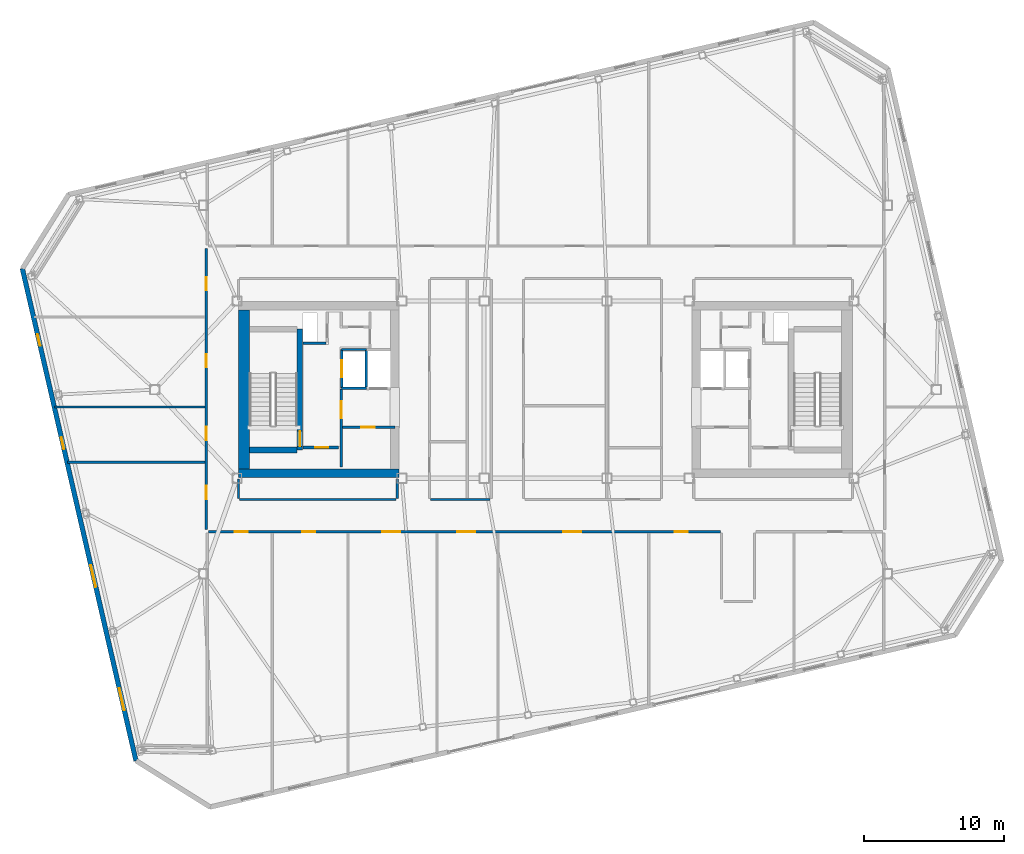
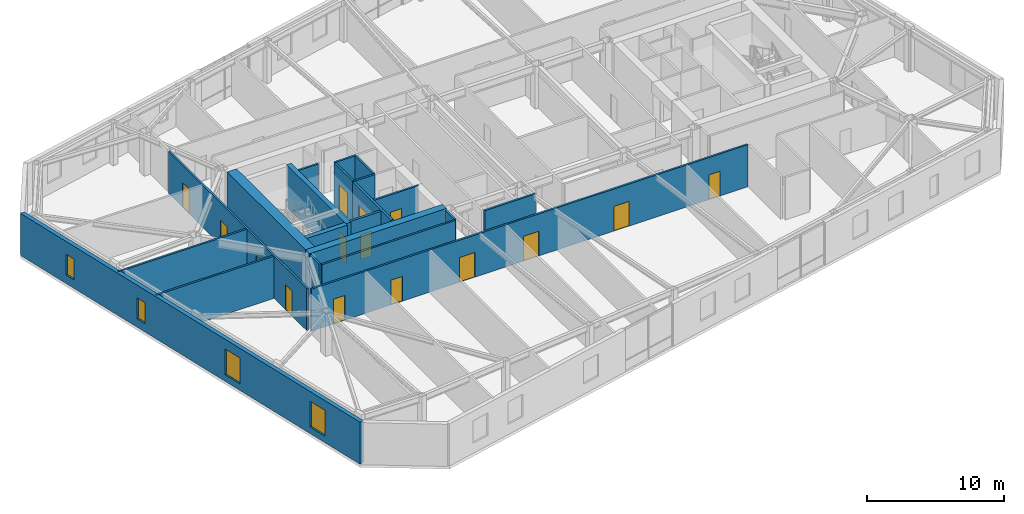
# One storey, part 16 of 23: 21 walls, 15 doors, 4 windows, 19 openings.
"""IFC4 building model written with IfcOpenShell, lengths in metres."""

from ifc_helpers import new_model, si_unit, direction, frame, frame_2d, origin, place, context, subcontext, project, spatial, rectangle, extrude, material, layer, layer_set, type_object, element, fill, save


model = new_model("IFC4")

# Units and contexts
model_context = context("Model", 3, precision=1e-05, world=origin(), true_north=direction((0.0, 1.0)))
body_context = subcontext(model_context, "Body", "Model", "MODEL_VIEW")
ifc_project = project(units=[si_unit("LENGTHUNIT", "METRE"), si_unit("AREAUNIT", "SQUARE_METRE"), si_unit("VOLUMEUNIT", "CUBIC_METRE"), si_unit("PLANEANGLEUNIT", "RADIAN"), si_unit("MASSUNIT", "GRAM", prefix="KILO")], contexts=[model_context])

# Site, building, storey
site_placement = place(None, origin())
site = spatial("IfcSite", under=ifc_project, at=site_placement, CompositionType="ELEMENT")
building_placement = place(site_placement, origin())
building = spatial("IfcBuilding", under=site, at=building_placement, Name="Tavrogorsk Clinical Tower", CompositionType="ELEMENT")
storey_placement = place(building_placement, frame((0.0, 0.0, 293.0)))
storey = spatial("IfcBuildingStorey", under=building, at=storey_placement, Name="L68", CompositionType="ELEMENT", Elevation=293.0)

# Wall, opening, door
ifc_material_1 = material(Name="Concrete B60", Category="concrete")
ifc_layer_1 = layer(ifc_material_1, 0.199951171875)
ifc_layer_set_1 = layer_set([ifc_layer_1], Name="Concrete B60")
wall_type_1 = type_object("IfcWallType", Name="CoreFireWall_200", PredefinedType="SOLIDWALL", material=ifc_layer_set_1)
wall_1_placement = place(storey_placement, frame((-17.3798828125, -4.139892578125, 0.0), z_axis=(0.0, 0.0, 1.0), x_axis=(1.0, 0.0, 0.0)))
wall_1 = element("IfcWall", 1, at=wall_1_placement, inside=storey, type_object=wall_type_1, Name="L68 Core West South Core Room Fire Wall", PredefinedType="SOLIDWALL", context=body_context, shape_type="SweptSolid", body=[
    extrude(rectangle(XDim=2.554931640625, YDim=0.199951171875, at=frame_2d((1.27734375, 0.0))), origin(), (0.0, 0.0, 1.0), 3.739990234375),
])
opening_1_placement = place(wall_1_placement, frame((0.8798828125, 0.0, 0.0)))
opening_1 = element("IfcOpeningElement", 2, at=opening_1_placement, cuts=wall_1, Name="Opening ID-02", PredefinedType="OPENING", context=body_context, shape_type="SweptSolid", body=[
    extrude(rectangle(XDim=0.949951171875, YDim=2.199951171875, at=frame_2d((0.47509765625, 1.10009765625))), frame((0.0, 0.10986328125, 0.0), z_axis=(0.0, -1.0, 0.0), x_axis=(1.0, 0.0, 0.0)), (0.0, 0.0, 1.0), 0.219970703125),
])
ifc_material_2 = material(Name="Laminated timber leaf on aluminium frame", Category="wood")
door_type_1 = type_object("IfcDoorType", Name="InteriorDoor_ID02_950", OperationType="NOTDEFINED", PredefinedType="DOOR", material=ifc_material_2)
door_1_placement = place(opening_1_placement, origin())
door_1 = element("IfcDoor", 3, at=door_1_placement, inside=storey, type_object=door_type_1, Name="L68 Core West South Core Room Door", OperationType="SINGLE_SWING_RIGHT", OverallHeight=2.199951171875, OverallWidth=0.949951171875, PredefinedType="DOOR", context=body_context, shape_type="SweptSolid", body=[
    extrude(rectangle(XDim=0.949951171875, YDim=2.199951171875, at=frame_2d((0.47509765625, 1.10009765625))), frame((0.0, 0.02490234375, 0.0), z_axis=(0.0, -1.0, 0.0), x_axis=(1.0, 0.0, 0.0)), (0.0, 0.0, 1.0), 0.050048828125),
])
fill(opening_1, door_1)

wall_2_placement = place(storey_placement, frame((-14.639892578125, -5.56005859375, 0.0), z_axis=(0.0, 0.0, 1.0), x_axis=(0.0, 1.0, 0.0)))
wall_2 = element("IfcWall", 4, at=wall_2_placement, inside=storey, type_object=wall_type_1, Name="L68 Core West Firefighting Lobby Fire Wall", PredefinedType="SOLIDWALL", context=body_context, shape_type="SweptSolid", body=[
    extrude(rectangle(XDim=5.60009765625, YDim=0.199951171875, at=frame_2d((2.800048828125, 0.0))), origin(), (0.0, 0.0, 1.0), 3.739990234375),
])
opening_2_placement = place(wall_2_placement, frame((3.510009765625, 0.0, 0.0)))
opening_2 = element("IfcOpeningElement", 5, at=opening_2_placement, cuts=wall_2, Name="Opening FD-01", PredefinedType="OPENING", context=body_context, shape_type="SweptSolid", body=[
    extrude(rectangle(XDim=1.199951171875, YDim=2.199951171875, at=frame_2d((0.60009765625, 1.10009765625))), frame((0.0, 0.10986328125, 0.0), z_axis=(0.0, -1.0, 0.0), x_axis=(1.0, 0.0, 0.0)), (0.0, 0.0, 1.0), 0.219970703125),
])
ifc_material_3 = material(Name="Galvanised steel fire-rated door assembly", Category="steel")
door_type_2 = type_object("IfcDoorType", Name="FireDoor_FD01_1200", OperationType="NOTDEFINED", PredefinedType="DOOR", material=ifc_material_3)
door_2_placement = place(opening_2_placement, origin())
door_2 = element("IfcDoor", 6, at=door_2_placement, inside=storey, type_object=door_type_2, Name="L68 Core West Firefighting Lobby Entry Door", OperationType="SINGLE_SWING_RIGHT", OverallHeight=2.199951171875, OverallWidth=1.199951171875, PredefinedType="DOOR", context=body_context, shape_type="SweptSolid", body=[
    extrude(rectangle(XDim=1.199951171875, YDim=2.199951171875, at=frame_2d((0.60009765625, 1.10009765625))), frame((0.0, 0.02490234375, 0.0), z_axis=(0.0, -1.0, 0.0), x_axis=(1.0, 0.0, 0.0)), (0.0, 0.0, 1.0), 0.050048828125),
])
fill(opening_2, door_2)

ifc_material_4 = material(Name="Lightweight concrete blockwork B15", Category="masonry")
ifc_layer_2 = layer(ifc_material_4, 0.159912109375)
ifc_layer_set_2 = layer_set([ifc_layer_2], Name="Lightweight concrete blockwork B15")
wall_type_2 = type_object("IfcWallType", Name="PartitionWall_160", PredefinedType="PARTITIONING", material=ifc_layer_set_2)
wall_3_placement = place(storey_placement, frame((-14.534912109375, -2.699951171875, 0.0), z_axis=(0.0, 0.0, 1.0), x_axis=(1.0, 0.0, 0.0)))
wall_3 = element("IfcWall", 7, at=wall_3_placement, inside=storey, type_object=wall_type_2, Name="L68 Core West Freed Mid-Bank North Partition", PredefinedType="PARTITIONING", context=body_context, shape_type="SweptSolid", body=[
    extrude(rectangle(XDim=3.73486328125, YDim=0.159912109375, at=frame_2d((1.867431640625, 0.0))), origin(), (0.0, 0.0, 1.0), 3.739990234375),
])
opening_3_placement = place(wall_3_placement, frame((1.35009765625, 0.0, 0.0)))
opening_3 = element("IfcOpeningElement", 8, at=opening_3_placement, cuts=wall_3, Name="Opening ID-02", PredefinedType="OPENING", context=body_context, shape_type="SweptSolid", body=[
    extrude(rectangle(XDim=0.949951171875, YDim=2.199951171875, at=frame_2d((0.47509765625, 1.10009765625))), frame((0.0, 0.08984375, 0.0), z_axis=(0.0, -1.0, 0.0), x_axis=(1.0, 0.0, 0.0)), (0.0, 0.0, 1.0), 0.179931640625),
])
door_3_placement = place(opening_3_placement, origin())
door_3 = element("IfcDoor", 9, at=door_3_placement, inside=storey, type_object=door_type_1, Name="L68 Core West Pharmacy Prep Door", OperationType="SINGLE_SWING_LEFT", OverallHeight=2.199951171875, OverallWidth=0.949951171875, PredefinedType="DOOR", context=body_context, shape_type="SweptSolid", body=[
    extrude(rectangle(XDim=0.949951171875, YDim=2.199951171875, at=frame_2d((0.47509765625, 1.10009765625))), frame((0.0, 0.02490234375, 0.0), z_axis=(0.0, -1.0, 0.0), x_axis=(1.0, 0.0, 0.0)), (0.0, 0.0, 1.0), 0.050048828125),
])
fill(opening_3, door_3)

# Wall, openings, doors
wall_4_placement = place(storey_placement, frame((-24.31005859375, -10.014892578125, 0.0), z_axis=(0.0, 0.0, 1.0), x_axis=(0.0, 1.0, 0.0)))
wall_4 = element("IfcWall", 10, at=wall_4_placement, inside=storey, type_object=wall_type_2, Name="L68 Corridor Partition 01", PredefinedType="PARTITIONING", context=body_context, shape_type="SweptSolid", body=[
    extrude(rectangle(XDim=20.1298828125, YDim=0.159912109375, at=frame_2d((10.06494140625, 0.0))), origin(), (0.0, 0.0, 1.0), 3.739990234375),
])
opening_4_placement = place(wall_4_placement, frame((2.169189453125, 0.0, 0.0)))
opening_4 = element("IfcOpeningElement", 11, at=opening_4_placement, cuts=wall_4, Name="Opening ID-02", PredefinedType="OPENING", context=body_context, shape_type="SweptSolid", body=[
    extrude(rectangle(XDim=0.949951171875, YDim=2.199951171875, at=frame_2d((0.47509765625, 1.10009765625))), frame((0.0, 0.08984375, 0.0), z_axis=(0.0, -1.0, 0.0), x_axis=(1.0, 0.0, 0.0)), (0.0, 0.0, 1.0), 0.179931640625),
])
opening_5_placement = place(wall_4_placement, frame((6.39990234375, 0.0, 0.0)))
opening_5 = element("IfcOpeningElement", 12, at=opening_5_placement, cuts=wall_4, Name="Opening ID-02", PredefinedType="OPENING", context=body_context, shape_type="SweptSolid", body=[
    extrude(rectangle(XDim=0.949951171875, YDim=2.199951171875, at=frame_2d((0.47509765625, 1.10009765625))), frame((0.0, 0.08984375, 0.0), z_axis=(0.0, -1.0, 0.0), x_axis=(1.0, 0.0, 0.0)), (0.0, 0.0, 1.0), 0.179931640625),
])
opening_6_placement = place(wall_4_placement, frame((11.60009765625, 0.0, 0.0)))
opening_6 = element("IfcOpeningElement", 13, at=opening_6_placement, cuts=wall_4, Name="Opening ID-02", PredefinedType="OPENING", context=body_context, shape_type="SweptSolid", body=[
    extrude(rectangle(XDim=0.949951171875, YDim=2.199951171875, at=frame_2d((0.47509765625, 1.10009765625))), frame((0.0, 0.08984375, 0.0), z_axis=(0.0, -1.0, 0.0), x_axis=(1.0, 0.0, 0.0)), (0.0, 0.0, 1.0), 0.179931640625),
])
opening_7_placement = place(wall_4_placement, frame((17.130859375, 0.0, 0.0)))
opening_7 = element("IfcOpeningElement", 14, at=opening_7_placement, cuts=wall_4, Name="Opening ID-02", PredefinedType="OPENING", context=body_context, shape_type="SweptSolid", body=[
    extrude(rectangle(XDim=0.949951171875, YDim=2.199951171875, at=frame_2d((0.47509765625, 1.10009765625))), frame((0.0, 0.08984375, 0.0), z_axis=(0.0, -1.0, 0.0), x_axis=(1.0, 0.0, 0.0)), (0.0, 0.0, 1.0), 0.179931640625),
])
door_4_placement = place(opening_4_placement, origin())
door_4 = element("IfcDoor", 15, at=door_4_placement, inside=storey, type_object=door_type_1, Name="L68 W Solarium Day Room & Lounge 1 Door", OperationType="SINGLE_SWING_RIGHT", OverallHeight=2.199951171875, OverallWidth=0.949951171875, PredefinedType="DOOR", context=body_context, shape_type="SweptSolid", body=[
    extrude(rectangle(XDim=0.949951171875, YDim=2.199951171875, at=frame_2d((0.47509765625, 1.10009765625))), frame((0.0, 0.02490234375, 0.0), z_axis=(0.0, -1.0, 0.0), x_axis=(1.0, 0.0, 0.0)), (0.0, 0.0, 1.0), 0.050048828125),
])
fill(opening_4, door_4)
door_5_placement = place(opening_5_placement, origin())
door_5 = element("IfcDoor", 16, at=door_5_placement, inside=storey, type_object=door_type_1, Name="L68 W Rehabilitation Therapy Suite 2 Door", OperationType="SINGLE_SWING_LEFT", OverallHeight=2.199951171875, OverallWidth=0.949951171875, PredefinedType="DOOR", context=body_context, shape_type="SweptSolid", body=[
    extrude(rectangle(XDim=0.949951171875, YDim=2.199951171875, at=frame_2d((0.47509765625, 1.10009765625))), frame((0.0, 0.02490234375, 0.0), z_axis=(0.0, -1.0, 0.0), x_axis=(1.0, 0.0, 0.0)), (0.0, 0.0, 1.0), 0.050048828125),
])
fill(opening_5, door_5)
door_6_placement = place(opening_6_placement, origin())
door_6 = element("IfcDoor", 17, at=door_6_placement, inside=storey, type_object=door_type_1, Name="L68 W Sub-Acute Observation Suite 3 Door", OperationType="SINGLE_SWING_RIGHT", OverallHeight=2.199951171875, OverallWidth=0.949951171875, PredefinedType="DOOR", context=body_context, shape_type="SweptSolid", body=[
    extrude(rectangle(XDim=0.949951171875, YDim=2.199951171875, at=frame_2d((0.47509765625, 1.10009765625))), frame((0.0, 0.02490234375, 0.0), z_axis=(0.0, -1.0, 0.0), x_axis=(1.0, 0.0, 0.0)), (0.0, 0.0, 1.0), 0.050048828125),
])
fill(opening_6, door_6)
door_7_placement = place(opening_7_placement, origin())
door_7 = element("IfcDoor", 18, at=door_7_placement, inside=storey, type_object=door_type_1, Name="L68 W Family Consultation Lounge 4 Door", OperationType="SINGLE_SWING_LEFT", OverallHeight=2.199951171875, OverallWidth=0.949951171875, PredefinedType="DOOR", context=body_context, shape_type="SweptSolid", body=[
    extrude(rectangle(XDim=0.949951171875, YDim=2.199951171875, at=frame_2d((0.47509765625, 1.10009765625))), frame((0.0, 0.02490234375, 0.0), z_axis=(0.0, -1.0, 0.0), x_axis=(1.0, 0.0, 0.0)), (0.0, 0.0, 1.0), 0.050048828125),
])
fill(opening_7, door_7)

wall_5_placement = place(storey_placement, frame((12.534912109375, -10.179931640625, 0.0), z_axis=(0.0, 0.0, 1.0), x_axis=(-1.0, 0.0, 0.0)))
wall_5 = element("IfcWall", 19, at=wall_5_placement, inside=storey, type_object=wall_type_2, Name="L68 Corridor Partition 08", PredefinedType="PARTITIONING", context=body_context, shape_type="SweptSolid", body=[
    extrude(rectangle(XDim=36.679931640625, YDim=0.159912109375, at=frame_2d((18.33984375, 0.0))), origin(), (0.0, 0.0, 1.0), 3.739990234375),
])
opening_8_placement = place(wall_5_placement, frame((33.85595703125, 0.0, 0.0)))
opening_8 = element("IfcOpeningElement", 20, at=opening_8_placement, cuts=wall_5, Name="Opening ID-02", PredefinedType="OPENING", context=body_context, shape_type="SweptSolid", body=[
    extrude(rectangle(XDim=0.949951171875, YDim=2.199951171875, at=frame_2d((0.47509765625, 1.10009765625))), frame((0.0, 0.08984375, 0.0), z_axis=(0.0, -1.0, 0.0), x_axis=(1.0, 0.0, 0.0)), (0.0, 0.0, 1.0), 0.179931640625),
])
opening_9_placement = place(wall_5_placement, frame((29.014892578125, 0.0, 0.0)))
opening_9 = element("IfcOpeningElement", 21, at=opening_9_placement, cuts=wall_5, Name="Opening ID-02", PredefinedType="OPENING", context=body_context, shape_type="SweptSolid", body=[
    extrude(rectangle(XDim=0.949951171875, YDim=2.199951171875, at=frame_2d((0.47509765625, 1.10009765625))), frame((0.0, 0.08984375, 0.0), z_axis=(0.0, -1.0, 0.0), x_axis=(1.0, 0.0, 0.0)), (0.0, 0.0, 1.0), 0.179931640625),
])
opening_10_placement = place(wall_5_placement, frame((22.93505859375, 0.0, 0.0)))
opening_10 = element("IfcOpeningElement", 22, at=opening_10_placement, cuts=wall_5, Name="Opening ID-01", PredefinedType="OPENING", context=body_context, shape_type="SweptSolid", body=[
    extrude(rectangle(XDim=1.300048828125, YDim=2.199951171875, at=frame_2d((0.64990234375, 1.10009765625))), frame((0.0, 0.08984375, 0.0), z_axis=(0.0, -1.0, 0.0), x_axis=(1.0, 0.0, 0.0)), (0.0, 0.0, 1.0), 0.179931640625),
])
opening_11_placement = place(wall_5_placement, frame((17.554931640625, 0.0, 0.0)))
opening_11 = element("IfcOpeningElement", 23, at=opening_11_placement, cuts=wall_5, Name="Opening ID-01", PredefinedType="OPENING", context=body_context, shape_type="SweptSolid", body=[
    extrude(rectangle(XDim=1.300048828125, YDim=2.199951171875, at=frame_2d((0.64990234375, 1.10009765625))), frame((0.0, 0.08984375, 0.0), z_axis=(0.0, -1.0, 0.0), x_axis=(1.0, 0.0, 0.0)), (0.0, 0.0, 1.0), 0.179931640625),
])
opening_12_placement = place(wall_5_placement, frame((9.969970703125, 0.0, 0.0)))
opening_12 = element("IfcOpeningElement", 24, at=opening_12_placement, cuts=wall_5, Name="Opening ID-01", PredefinedType="OPENING", context=body_context, shape_type="SweptSolid", body=[
    extrude(rectangle(XDim=1.300048828125, YDim=2.199951171875, at=frame_2d((0.64990234375, 1.10009765625))), frame((0.0, 0.08984375, 0.0), z_axis=(0.0, -1.0, 0.0), x_axis=(1.0, 0.0, 0.0)), (0.0, 0.0, 1.0), 0.179931640625),
])
opening_13_placement = place(wall_5_placement, frame((2.3291015625, 0.0, 0.0)))
opening_13 = element("IfcOpeningElement", 25, at=opening_13_placement, cuts=wall_5, Name="Opening ID-02", PredefinedType="OPENING", context=body_context, shape_type="SweptSolid", body=[
    extrude(rectangle(XDim=0.949951171875, YDim=2.199951171875, at=frame_2d((0.47509765625, 1.10009765625))), frame((0.0, 0.08984375, 0.0), z_axis=(0.0, -1.0, 0.0), x_axis=(1.0, 0.0, 0.0)), (0.0, 0.0, 1.0), 0.179931640625),
])
door_8_placement = place(opening_8_placement, origin())
door_8 = element("IfcDoor", 26, at=door_8_placement, inside=storey, type_object=door_type_1, Name="L68 South Clinical Case Seminar Room 01 Door", OperationType="SINGLE_SWING_LEFT", OverallHeight=2.199951171875, OverallWidth=0.949951171875, PredefinedType="DOOR", context=body_context, shape_type="SweptSolid", body=[
    extrude(rectangle(XDim=0.949951171875, YDim=2.199951171875, at=frame_2d((0.47509765625, 1.10009765625))), frame((0.0, 0.02490234375, 0.0), z_axis=(0.0, -1.0, 0.0), x_axis=(1.0, 0.0, 0.0)), (0.0, 0.0, 1.0), 0.050048828125),
])
fill(opening_8, door_8)
door_9_placement = place(opening_9_placement, origin())
door_9 = element("IfcDoor", 27, at=door_9_placement, inside=storey, type_object=door_type_1, Name="L68 South Staff Rest & Nourishment Lounge 02 Door", OperationType="SINGLE_SWING_RIGHT", OverallHeight=2.199951171875, OverallWidth=0.949951171875, PredefinedType="DOOR", context=body_context, shape_type="SweptSolid", body=[
    extrude(rectangle(XDim=0.949951171875, YDim=2.199951171875, at=frame_2d((0.47509765625, 1.10009765625))), frame((0.0, 0.02490234375, 0.0), z_axis=(0.0, -1.0, 0.0), x_axis=(1.0, 0.0, 0.0)), (0.0, 0.0, 1.0), 0.050048828125),
])
fill(opening_9, door_9)
door_10_placement = place(opening_13_placement, origin())
door_10 = element("IfcDoor", 28, at=door_10_placement, inside=storey, type_object=door_type_1, Name="L68 South Soiled Utility & Sluice Room 05 Door", OperationType="SINGLE_SWING_RIGHT", OverallHeight=2.199951171875, OverallWidth=0.949951171875, PredefinedType="DOOR", context=body_context, shape_type="SweptSolid", body=[
    extrude(rectangle(XDim=0.949951171875, YDim=2.199951171875, at=frame_2d((0.47509765625, 1.10009765625))), frame((0.0, 0.02490234375, 0.0), z_axis=(0.0, -1.0, 0.0), x_axis=(1.0, 0.0, 0.0)), (0.0, 0.0, 1.0), 0.050048828125),
])
fill(opening_13, door_10)
ifc_material_5 = material(Name="Antibacterial HPL medical leaf on aluminium frame", Category="aluminium")
door_type_3 = type_object("IfcDoorType", Name="WardBedDoor_ID01_1300", OperationType="NOTDEFINED", PredefinedType="DOOR", material=ifc_material_5)
door_11_placement = place(opening_10_placement, origin())
door_11 = element("IfcDoor", 29, at=door_11_placement, inside=storey, type_object=door_type_3, Name="L68 South Bariatric Observation Ward 03A Door", OperationType="SINGLE_SWING_LEFT", OverallHeight=2.199951171875, OverallWidth=1.300048828125, PredefinedType="DOOR", context=body_context, shape_type="SweptSolid", body=[
    extrude(rectangle(XDim=1.300048828125, YDim=2.199951171875, at=frame_2d((0.64990234375, 1.10009765625))), frame((0.0, 0.02490234375, 0.0), z_axis=(0.0, -1.0, 0.0), x_axis=(1.0, 0.0, 0.0)), (0.0, 0.0, 1.0), 0.050048828125),
])
fill(opening_10, door_11)
door_12_placement = place(opening_11_placement, origin())
door_12 = element("IfcDoor", 30, at=door_12_placement, inside=storey, type_object=door_type_3, Name="L68 South Acute Medical Ward 03B Door", OperationType="SINGLE_SWING_RIGHT", OverallHeight=2.199951171875, OverallWidth=1.300048828125, PredefinedType="DOOR", context=body_context, shape_type="SweptSolid", body=[
    extrude(rectangle(XDim=1.300048828125, YDim=2.199951171875, at=frame_2d((0.64990234375, 1.10009765625))), frame((0.0, 0.02490234375, 0.0), z_axis=(0.0, -1.0, 0.0), x_axis=(1.0, 0.0, 0.0)), (0.0, 0.0, 1.0), 0.050048828125),
])
fill(opening_11, door_12)
door_13_placement = place(opening_12_placement, origin())
door_13 = element("IfcDoor", 31, at=door_13_placement, inside=storey, type_object=door_type_3, Name="L68 South Surgical Step-Down Ward 04 Door", OperationType="SINGLE_SWING_LEFT", OverallHeight=2.199951171875, OverallWidth=1.300048828125, PredefinedType="DOOR", context=body_context, shape_type="SweptSolid", body=[
    extrude(rectangle(XDim=1.300048828125, YDim=2.199951171875, at=frame_2d((0.64990234375, 1.10009765625))), frame((0.0, 0.02490234375, 0.0), z_axis=(0.0, -1.0, 0.0), x_axis=(1.0, 0.0, 0.0)), (0.0, 0.0, 1.0), 0.050048828125),
])
fill(opening_12, door_13)

# Walls
wall_6_placement = place(storey_placement, frame((-8.235107421875, -7.8701171875, 0.0), z_axis=(0.0, 0.0, 1.0), x_axis=(1.0, 0.0, 0.0)))
element("IfcWall", 32, at=wall_6_placement, inside=storey, type_object=wall_type_2, Name="L68 Corridor Partition 22", PredefinedType="PARTITIONING", context=body_context, shape_type="SweptSolid", body=[
    extrude(rectangle(XDim=4.27001953125, YDim=0.159912109375, at=frame_2d((2.135009765625, 0.0))), origin(), (0.0, 0.0, 1.0), 3.739990234375),
])
for number, where, z_axis, x_axis, name in (
    (33, (-10.6298828125, -7.784912109375, 0.0), (0.0, 0.0, 1.0), (0.0, 1.0, 0.0), "L68 Corridor Partition 23"),
    (34, (-22.0, -6.419921875, 0.0), (0.0, 0.0, 1.0), (0.0, -1.0, 0.0), "L68 Corridor Partition 27"),
):
    element("IfcWall", number, at=place(storey_placement, frame(where, z_axis=z_axis, x_axis=x_axis)), inside=storey, type_object=wall_type_2, Name=name, PredefinedType="PARTITIONING", context=body_context, shape_type="SweptSolid", body=[
        extrude(rectangle(XDim=1.364990234375, YDim=0.159912109375, at=frame_2d((0.6826171875, 0.0))), origin(), (0.0, 0.0, 1.0), 3.739990234375),
    ])
wall_7_placement = place(storey_placement, frame((-21.9150390625, -7.8701171875, 0.0), z_axis=(0.0, 0.0, 1.0), x_axis=(1.0, 0.0, 0.0)))
element("IfcWall", 35, at=wall_7_placement, inside=storey, type_object=wall_type_2, Name="L68 Corridor Partition 28", PredefinedType="PARTITIONING", context=body_context, shape_type="SweptSolid", body=[
    extrude(rectangle(XDim=11.199951171875, YDim=0.159912109375, at=frame_2d((5.60009765625, 0.0))), origin(), (0.0, 0.0, 1.0), 3.739990234375),
])
wall_8_placement = place(storey_placement, frame((-34.26171875, -5.199951171875, 0.0), z_axis=(0.0, 0.0, 1.0), x_axis=(1.0, 0.0, 0.0)))
element("IfcWall", 36, at=wall_8_placement, inside=storey, type_object=wall_type_2, Name="L68 W Wing Divider 1", PredefinedType="PARTITIONING", context=body_context, shape_type="SweptSolid", body=[
    extrude(rectangle(XDim=9.86669921875, YDim=0.159912109375, at=frame_2d((4.933349609375, 0.0))), origin(), (0.0, 0.0, 1.0), 3.739990234375),
])
wall_9_placement = place(storey_placement, frame((-35.173583984375, -1.25, 0.0), z_axis=(0.0, 0.0, 1.0), x_axis=(1.0, 0.0, 0.0)))
element("IfcWall", 37, at=wall_9_placement, inside=storey, type_object=wall_type_2, Name="L68 W Wing Divider 2", PredefinedType="PARTITIONING", context=body_context, shape_type="SweptSolid", body=[
    extrude(rectangle(XDim=10.778564453125, YDim=0.159912109375, at=frame_2d((5.38916015625, 0.0))), origin(), (0.0, 0.0, 1.0), 3.739990234375),
])

# Wall, openings, windows
ifc_material_6 = material(Name="Precast concrete B45 with limestone cladding", Category="masonry")
ifc_layer_3 = layer(ifc_material_6, 0.340087890625)
ifc_layer_set_3 = layer_set([ifc_layer_3], Name="Precast concrete B45 with limestone cladding")
wall_type_3 = type_object("IfcWallType", Name="PrecastLimestoneWall_340", PredefinedType="STANDARD", material=ifc_layer_set_3)
wall_10_placement = place(storey_placement, frame((-37.48583984375, 8.676025390625, 0.0), z_axis=(0.0, 0.0, 1.0), x_axis=(0.224953091034, -0.974369594576, 0.0)))
wall_10 = element("IfcWall", 38, at=wall_10_placement, inside=storey, type_object=wall_type_3, Name="L68 W Pleated Limestone Wing Wall", PredefinedType="STANDARD", context=body_context, shape_type="SweptSolid", body=[
    extrude(rectangle(XDim=36.199951171875, YDim=0.340087890625, at=frame_2d((18.10009765625, 0.0))), origin(), (0.0, 0.0, 1.0), 3.739990234375),
])
opening_14_placement = place(wall_10_placement, frame((4.824951171875, 0.0, 0.75)))
opening_14 = element("IfcOpeningElement", 39, at=opening_14_placement, cuts=wall_10, Name="Opening WN-06", PredefinedType="OPENING", context=body_context, shape_type="SweptSolid", body=[
    extrude(rectangle(XDim=0.85009765625, YDim=1.85009765625, at=frame_2d((0.425048828125, 0.925048828125))), frame((0.0, 0.179931640625, 0.0), z_axis=(0.0, -1.0, 0.0), x_axis=(1.0, 0.0, 0.0)), (0.0, 0.0, 1.0), 0.360107421875),
])
opening_15_placement = place(wall_10_placement, frame((12.425048828125, 0.0, 0.75)))
opening_15 = element("IfcOpeningElement", 40, at=opening_15_placement, cuts=wall_10, Name="Opening WN-06", PredefinedType="OPENING", context=body_context, shape_type="SweptSolid", body=[
    extrude(rectangle(XDim=0.85009765625, YDim=1.85009765625, at=frame_2d((0.425048828125, 0.925048828125))), frame((0.0, 0.179931640625, 0.0), z_axis=(0.0, -1.0, 0.0), x_axis=(1.0, 0.0, 0.0)), (0.0, 0.0, 1.0), 0.360107421875),
])
opening_16_placement = place(wall_10_placement, frame((21.824951171875, 0.0, 0.580078125)))
opening_16 = element("IfcOpeningElement", 41, at=opening_16_placement, cuts=wall_10, Name="Opening WN-07", PredefinedType="OPENING", context=body_context, shape_type="SweptSolid", body=[
    extrude(rectangle(XDim=1.60009765625, YDim=2.300048828125, at=frame_2d((0.800048828125, 1.14990234375))), frame((0.0, 0.179931640625, 0.0), z_axis=(0.0, -1.0, 0.0), x_axis=(1.0, 0.0, 0.0)), (0.0, 0.0, 1.0), 0.360107421875),
])
opening_17_placement = place(wall_10_placement, frame((30.875, 0.0, 0.580078125)))
opening_17 = element("IfcOpeningElement", 42, at=opening_17_placement, cuts=wall_10, Name="Opening WN-07", PredefinedType="OPENING", context=body_context, shape_type="SweptSolid", body=[
    extrude(rectangle(XDim=1.60009765625, YDim=2.300048828125, at=frame_2d((0.800048828125, 1.14990234375))), frame((0.0, 0.179931640625, 0.0), z_axis=(0.0, -1.0, 0.0), x_axis=(1.0, 0.0, 0.0)), (0.0, 0.0, 1.0), 0.360107421875),
])
ifc_material_7 = material(Name="Thermally broken aluminium frame and triple IGU", Category="aluminium")
window_type_1 = type_object("IfcWindowType", Name="MullionSubWin_850x1850", PartitioningType="SINGLE_PANEL", PredefinedType="WINDOW", material=ifc_material_7)
window_1_placement = place(opening_14_placement, origin())
window_1 = element("IfcWindow", 43, at=window_1_placement, inside=storey, type_object=window_type_1, Name="L68 W Pleat Mullion Window 1B", OverallHeight=1.85009765625, OverallWidth=0.85009765625, PartitioningType="SINGLE_PANEL", PredefinedType="WINDOW", context=body_context, shape_type="SweptSolid", body=[
    extrude(rectangle(XDim=0.85009765625, YDim=1.85009765625, at=frame_2d((0.425048828125, 0.925048828125))), frame((0.0, 0.030029296875, 0.0), z_axis=(0.0, -1.0, 0.0), x_axis=(1.0, 0.0, 0.0)), (0.0, 0.0, 1.0), 0.06005859375),
])
fill(opening_14, window_1)
window_2_placement = place(opening_15_placement, origin())
window_2 = element("IfcWindow", 44, at=window_2_placement, inside=storey, type_object=window_type_1, Name="L68 W Pleat Mullion Window 2A", OverallHeight=1.85009765625, OverallWidth=0.85009765625, PartitioningType="SINGLE_PANEL", PredefinedType="WINDOW", context=body_context, shape_type="SweptSolid", body=[
    extrude(rectangle(XDim=0.85009765625, YDim=1.85009765625, at=frame_2d((0.425048828125, 0.925048828125))), frame((0.0, 0.030029296875, 0.0), z_axis=(0.0, -1.0, 0.0), x_axis=(1.0, 0.0, 0.0)), (0.0, 0.0, 1.0), 0.06005859375),
])
fill(opening_15, window_2)
ifc_material_8 = material(Name="Thermally broken aluminium frame and triple IGU", Category="aluminium")
window_type_2 = type_object("IfcWindowType", Name="PleatSlotWin_1600x2300", PartitioningType="SINGLE_PANEL", PredefinedType="WINDOW", material=ifc_material_8)
window_3_placement = place(opening_16_placement, origin())
window_3 = element("IfcWindow", 45, at=window_3_placement, inside=storey, type_object=window_type_2, Name="L68 W Pleat Slot Window 3", OverallHeight=2.300048828125, OverallWidth=1.60009765625, PartitioningType="SINGLE_PANEL", PredefinedType="WINDOW", context=body_context, shape_type="SweptSolid", body=[
    extrude(rectangle(XDim=1.60009765625, YDim=2.300048828125, at=frame_2d((0.800048828125, 1.14990234375))), frame((0.0, 0.030029296875, 0.0), z_axis=(0.0, -1.0, 0.0), x_axis=(1.0, 0.0, 0.0)), (0.0, 0.0, 1.0), 0.06005859375),
])
fill(opening_16, window_3)
window_4_placement = place(opening_17_placement, origin())
window_4 = element("IfcWindow", 46, at=window_4_placement, inside=storey, type_object=window_type_2, Name="L68 W Pleat Slot Window 4", OverallHeight=2.300048828125, OverallWidth=1.60009765625, PartitioningType="SINGLE_PANEL", PredefinedType="WINDOW", context=body_context, shape_type="SweptSolid", body=[
    extrude(rectangle(XDim=1.60009765625, YDim=2.300048828125, at=frame_2d((0.800048828125, 1.14990234375))), frame((0.0, 0.030029296875, 0.0), z_axis=(0.0, -1.0, 0.0), x_axis=(1.0, 0.0, 0.0)), (0.0, 0.0, 1.0), 0.06005859375),
])
fill(opening_17, window_4)

# Wall, opening, door
ifc_material_9 = material(Name="Lightweight concrete blockwork B25", Category="masonry")
ifc_layer_4 = layer(ifc_material_9, 0.159912109375)
ifc_layer_set_4 = layer_set([ifc_layer_4], Name="Lightweight concrete blockwork B25")
wall_type_4 = type_object("IfcWallType", Name="ShaftWall_160", PredefinedType="PARTITIONING", material=ifc_layer_set_4)
wall_11_placement = place(storey_placement, frame((-14.60009765625, 0.1201171875, 0.0), z_axis=(0.0, 0.0, 1.0), x_axis=(0.0, 1.0, 0.0)))
wall_11 = element("IfcWall", 47, at=wall_11_placement, inside=storey, type_object=wall_type_4, Name="L68 FFL-W Firefighting Lift Front Wall", PredefinedType="PARTITIONING", context=body_context, shape_type="SweptSolid", body=[
    extrude(rectangle(XDim=2.739990234375, YDim=0.159912109375, at=frame_2d((1.3701171875, 0.0))), origin(), (0.0, 0.0, 1.0), 3.739990234375),
])
opening_18_placement = place(wall_11_placement, frame((0.77001953125, 0.0, 0.0)))
opening_18 = element("IfcOpeningElement", 48, at=opening_18_placement, cuts=wall_11, Name="Opening LD", PredefinedType="OPENING", context=body_context, shape_type="SweptSolid", body=[
    extrude(rectangle(XDim=1.199951171875, YDim=2.199951171875, at=frame_2d((0.60009765625, 1.10009765625))), frame((0.0, 0.08984375, 0.0), z_axis=(0.0, -1.0, 0.0), x_axis=(1.0, 0.0, 0.0)), (0.0, 0.0, 1.0), 0.179931640625),
])
ifc_material_10 = material(Name="Brushed stainless steel AISI 304 sliding doors", Category="steel")
door_type_4 = type_object("IfcDoorType", Name="LiftLandingDoor_LD_1200", OperationType="SLIDING_TO_LEFT", PredefinedType="DOOR", material=ifc_material_10)
door_14_placement = place(opening_18_placement, origin())
door_14 = element("IfcDoor", 49, at=door_14_placement, inside=storey, type_object=door_type_4, Name="L68 FFL-W Sliding Lift Landing Door", OperationType="SLIDING_TO_LEFT", OverallHeight=2.199951171875, OverallWidth=1.199951171875, PredefinedType="DOOR", context=body_context, shape_type="SweptSolid", body=[
    extrude(rectangle(XDim=1.199951171875, YDim=2.199951171875, at=frame_2d((0.60009765625, 1.10009765625))), frame((0.0, 0.02490234375, 0.0), z_axis=(0.0, -1.0, 0.0), x_axis=(1.0, 0.0, 0.0)), (0.0, 0.0, 1.0), 0.050048828125),
])
fill(opening_18, door_14)

# Walls
for number, where, z_axis, x_axis, name in (
    (50, (-14.60009765625, 0.10009765625, 0.0), (0.0, 0.0, 1.0), (1.0, 0.0, 0.0), "L68 FFL-W Shaft South Wall"),
    (51, (-14.60009765625, 2.8798828125, 0.0), (0.0, 0.0, 1.0), (1.0, 0.0, 0.0), "L68 FFL-W Shaft North Wall"),
):
    element("IfcWall", number, at=place(storey_placement, frame(where, z_axis=z_axis, x_axis=x_axis)), inside=storey, type_object=wall_type_4, Name=name, PredefinedType="PARTITIONING", context=body_context, shape_type="SweptSolid", body=[
        extrude(rectangle(XDim=1.760009765625, YDim=0.159912109375, at=frame_2d((0.8798828125, 0.0))), origin(), (0.0, 0.0, 1.0), 3.739990234375),
    ])
wall_12_placement = place(storey_placement, frame((-12.840087890625, 0.179931640625, 0.0), z_axis=(0.0, 0.0, 1.0), x_axis=(0.0, 1.0, 0.0)))
element("IfcWall", 52, at=wall_12_placement, inside=storey, type_object=wall_type_4, Name="L68 FFL-W Shaft Back Wall", PredefinedType="PARTITIONING", context=body_context, shape_type="SweptSolid", body=[
    extrude(rectangle(XDim=2.6201171875, YDim=0.159912109375, at=frame_2d((1.31005859375, 0.0))), origin(), (0.0, 0.0, 1.0), 3.739990234375),
])
wall_13_placement = place(storey_placement, frame((-17.3798828125, 3.320068359375, 0.0), z_axis=(0.0, 0.0, 1.0), x_axis=(1.0, 0.0, 0.0)))
element("IfcWall", 53, at=wall_13_placement, inside=storey, type_object=wall_type_4, Name="L68 Core West Riser South Wall", PredefinedType="PARTITIONING", context=body_context, shape_type="SweptSolid", body=[
    extrude(rectangle(XDim=1.65478515625, YDim=0.159912109375, at=frame_2d((0.827392578125, 0.0))), origin(), (0.0, 0.0, 1.0), 3.739990234375),
])

# Wall, opening, door
ifc_material_11 = material(Name="Concrete B80", Category="concrete")
ifc_layer_5 = layer(ifc_material_11, 0.39990234375)
ifc_layer_set_5 = layer_set([ifc_layer_5], Name="Concrete B80")
wall_type_5 = type_object("IfcWallType", Name="ShearWall_400", PredefinedType="SHEAR", material=ifc_layer_set_5)
wall_14_placement = place(storey_placement, frame((-17.60009765625, -4.324951171875, 0.0), z_axis=(0.0, 0.0, 1.0), x_axis=(0.0, 1.0, 0.0)))
wall_14 = element("IfcWall", 54, at=wall_14_placement, inside=storey, type_object=wall_type_5, Name="L68 Core West Stair Shaft Inner Shear Wall", PredefinedType="SHEAR", context=body_context, shape_type="SweptSolid", body=[
    extrude(rectangle(XDim=8.64990234375, YDim=0.39990234375, at=frame_2d((4.324951171875, 0.0))), origin(), (0.0, 0.0, 1.0), 3.739990234375),
])
opening_19_placement = place(wall_14_placement, frame((0.25, 0.0, 0.0)))
opening_19 = element("IfcOpeningElement", 55, at=opening_19_placement, cuts=wall_14, Name="Opening SD-01", PredefinedType="OPENING", context=body_context, shape_type="SweptSolid", body=[
    extrude(rectangle(XDim=1.10009765625, YDim=2.199951171875, at=frame_2d((0.550048828125, 1.10009765625))), frame((0.0, 0.2099609375, 0.0), z_axis=(0.0, -1.0, 0.0), x_axis=(1.0, 0.0, 0.0)), (0.0, 0.0, 1.0), 0.419921875),
])
ifc_material_12 = material(Name="Galvanised steel smoke-tight fire door assembly", Category="steel")
door_type_5 = type_object("IfcDoorType", Name="StairFireDoor_SD01_1100", OperationType="NOTDEFINED", PredefinedType="DOOR", material=ifc_material_12)
door_15_placement = place(opening_19_placement, origin())
door_15 = element("IfcDoor", 56, at=door_15_placement, inside=storey, type_object=door_type_5, Name="L68 ST-W Exit Stair Door", OperationType="SINGLE_SWING_LEFT", OverallHeight=2.199951171875, OverallWidth=1.10009765625, PredefinedType="DOOR", context=body_context, shape_type="SweptSolid", body=[
    extrude(rectangle(XDim=1.10009765625, YDim=2.199951171875, at=frame_2d((0.550048828125, 1.10009765625))), frame((0.0, 0.02490234375, 0.0), z_axis=(0.0, -1.0, 0.0), x_axis=(1.0, 0.0, 0.0)), (0.0, 0.0, 1.0), 0.050048828125),
])
fill(opening_19, door_15)

# Walls
wall_15_placement = place(storey_placement, frame((-21.199951171875, -4.324951171875, 0.0), z_axis=(0.0, 0.0, 1.0), x_axis=(1.0, 0.0, 0.0)))
element("IfcWall", 57, at=wall_15_placement, inside=storey, type_object=wall_type_5, Name="L68 Core West Stair Shaft South Shear Wall", PredefinedType="SHEAR", context=body_context, shape_type="SweptSolid", body=[
    extrude(rectangle(XDim=3.39990234375, YDim=0.39990234375, at=frame_2d((1.699951171875, 0.0))), origin(), (0.0, 0.0, 1.0), 3.739990234375),
])
ifc_material_13 = material(Name="Concrete B80", Category="concrete")
ifc_layer_6 = layer(ifc_material_13, 0.60009765625)
ifc_layer_set_6 = layer_set([ifc_layer_6], Name="Concrete B80")
wall_type_6 = type_object("IfcWallType", Name="ShearWall_600", PredefinedType="SHEAR", material=ifc_layer_set_6)
wall_16_placement = place(storey_placement, frame((-22.0, -6.0, 0.0), z_axis=(0.0, 0.0, 1.0), x_axis=(1.0, 0.0, 0.0)))
element("IfcWall", 58, at=wall_16_placement, inside=storey, type_object=wall_type_6, Name="L68 Core West South Shear Wall", PredefinedType="SHEAR", context=body_context, shape_type="SweptSolid", body=[
    extrude(rectangle(XDim=11.5, YDim=0.60009765625, at=frame_2d((5.75, 0.0))), origin(), (0.0, 0.0, 1.0), 3.739990234375),
])
ifc_material_14 = material(Name="Concrete B80", Category="concrete")
ifc_layer_7 = layer(ifc_material_14, 0.800048828125)
ifc_layer_set_7 = layer_set([ifc_layer_7], Name="Concrete B80")
wall_type_7 = type_object("IfcWallType", Name="ShearWall_800", PredefinedType="SHEAR", material=ifc_layer_set_7)
wall_17_placement = place(storey_placement, frame((-21.60009765625, -5.699951171875, 0.0), z_axis=(0.0, 0.0, 1.0), x_axis=(0.0, 1.0, 0.0)))
element("IfcWall", 59, at=wall_17_placement, inside=storey, type_object=wall_type_7, Name="L68 Core West End Shear Wall", PredefinedType="SHEAR", context=body_context, shape_type="SweptSolid", body=[
    extrude(rectangle(XDim=11.39990234375, YDim=0.800048828125, at=frame_2d((5.699951171875, 0.0))), origin(), (0.0, 0.0, 1.0), 3.739990234375),
])

save(model, "model.ifc")
